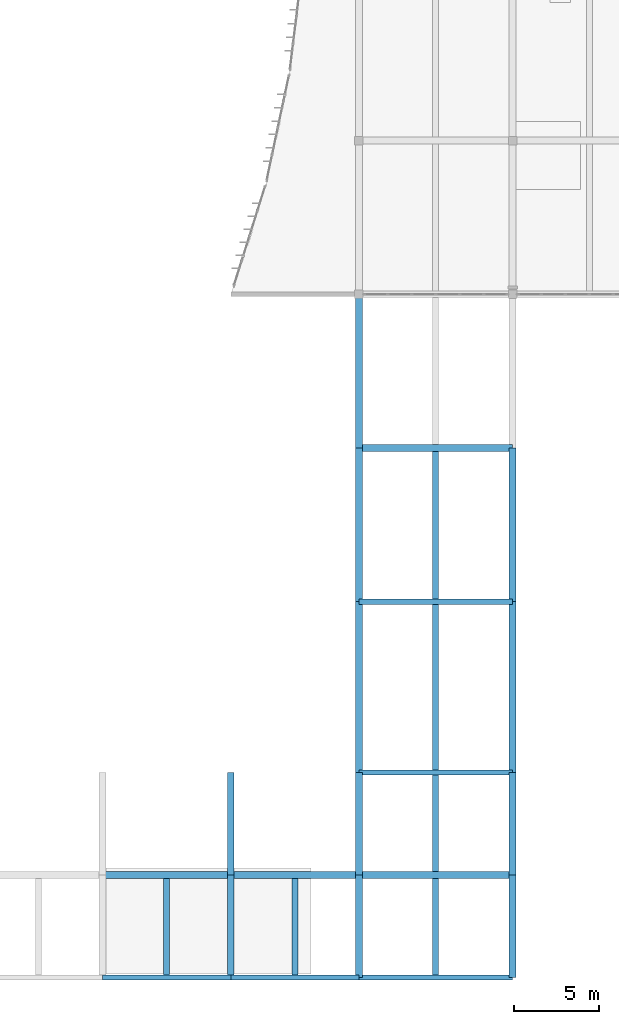
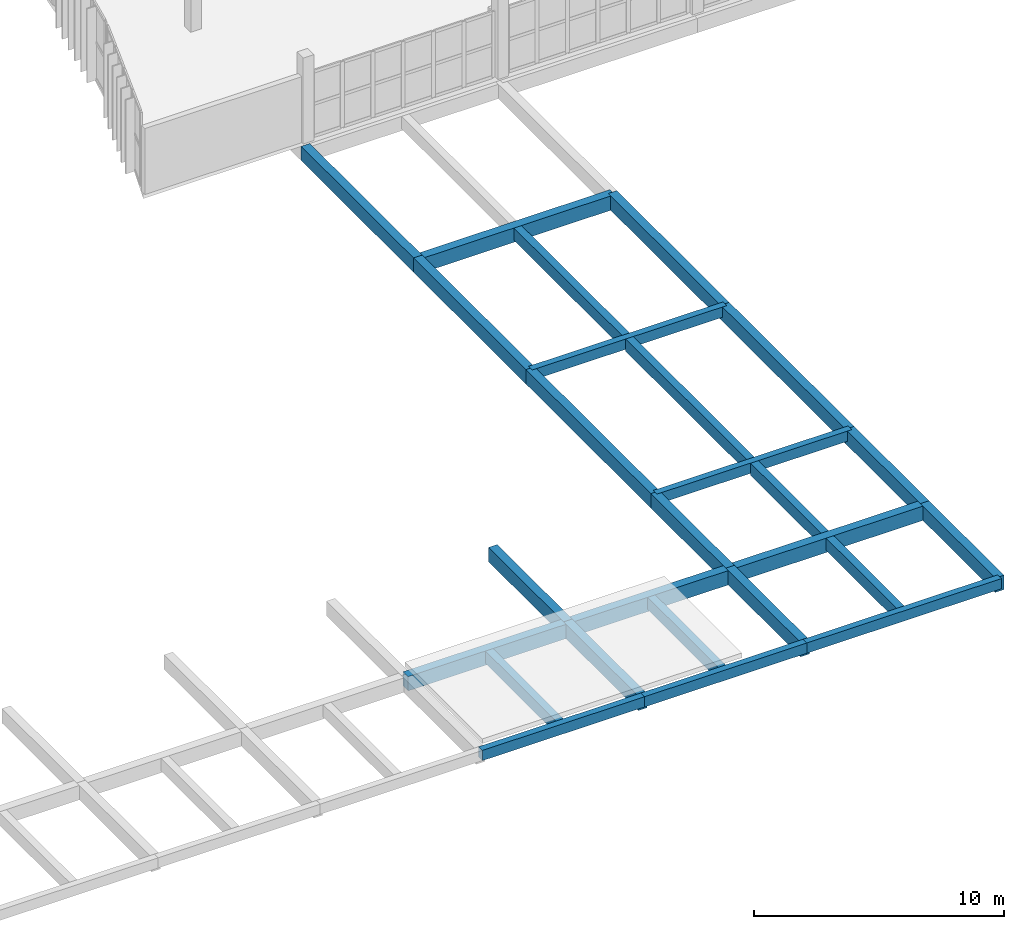
# One storey, part 20 of 61: 26 beams.
"""IFC4 building model written with IfcOpenShell, lengths in metres."""

import ifcopenshell
import ifcopenshell.guid

model = None  # the IFC model being written
_history = None  # IfcOwnerHistory: only IFC2X3 demands one
_inside = {}  # id of a spatial element -> (the spatial element, [elements in it])
_under = {}  # id of a project, library or spatial element -> (it, [spatial elements below it])
_declared = {}  # id of a project -> (the project, [libraries it declares])
_typed = {}  # id of a type object -> (the type object, [elements of that type])
_made_of = {}  # id of a material, layer set ... -> (it, [elements and type objects made of it])


def new_model(schema):
    """Start an empty IFC model of exactly this schema.

    Asked for "IFC4X3", IfcOpenShell would pick the latest addendum, in which some entities
    have other attributes; the version numbers below select the first issue.
    IFC2X3 requires an IfcOwnerHistory on every rooted entity: one is made here for all.
    """
    global model, _history
    if schema == "IFC4X3":
        model = ifcopenshell.file(schema_version=(4, 3, 0, 0))
    else:
        model = ifcopenshell.file(schema=schema)
    _inside.clear()
    _under.clear()
    _declared.clear()
    _typed.clear()
    _made_of.clear()
    _history = None
    if model.schema == "IFC2X3":
        org = make("IfcOrganization", Name="unknown")
        user = make(
            "IfcPersonAndOrganization",
            ThePerson=make("IfcPerson", FamilyName="unknown"),
            TheOrganization=org,
        )
        app = make(
            "IfcApplication",
            ApplicationDeveloper=org,
            Version="unknown",
            ApplicationFullName="unknown",
            ApplicationIdentifier="unknown",
        )
        _history = make(
            "IfcOwnerHistory",
            OwningUser=user,
            OwningApplication=app,
            ChangeAction="ADDED",
            CreationDate=0,
        )
    return model


def make(cls, **values):
    """One entity of the class cls with the attributes given. An attribute that is None is left unset."""
    return model.create_entity(
        cls, **{name: value for name, value in values.items() if value is not None}
    )


def rooted(cls, **values):
    """An entity with a GlobalId (a new one), such as an element, a storey or a relation."""
    return make(cls, GlobalId=ifcopenshell.guid.new(), OwnerHistory=_history, **values)


def si_unit(unit_type, name, prefix=None):
    """IfcSIUnit, for example si_unit("LENGTHUNIT", "METRE", prefix="MILLI")."""
    return make("IfcSIUnit", UnitType=unit_type, Prefix=prefix, Name=name)


def assignment(units):
    """IfcUnitAssignment: the units of a project."""
    return None if units is None else make("IfcUnitAssignment", Units=units)


def point(xyz):
    """IfcCartesianPoint."""
    return None if xyz is None else make("IfcCartesianPoint", Coordinates=xyz)


def direction(xyz):
    """IfcDirection."""
    return None if xyz is None else make("IfcDirection", DirectionRatios=xyz)


def frame(location, z_axis=None, x_axis=None):
    """IfcAxis2Placement3D, a coordinate frame: its origin and axes. An axis left out is left unset."""
    return make(
        "IfcAxis2Placement3D",
        Location=point(location),
        Axis=direction(z_axis),
        RefDirection=direction(x_axis),
    )


def frame_2d(location, x_axis=None):
    """IfcAxis2Placement2D, a coordinate frame in the plane: its origin and x axis."""
    return make(
        "IfcAxis2Placement2D", Location=point(location), RefDirection=direction(x_axis)
    )


def origin():
    """The frame at (0, 0, 0) with its axes left unset."""
    return frame((0.0, 0.0, 0.0))


def origin_2d():
    """The frame at (0, 0) in the plane with its x axis left unset."""
    return frame_2d((0.0, 0.0))


def place(relative_to, where):
    """IfcLocalPlacement: puts the frame where relative to a parent placement (None: the world)."""
    return make(
        "IfcLocalPlacement", PlacementRelTo=relative_to, RelativePlacement=where
    )


def context(
    kind, dimensions, precision=None, world=None, true_north=None, identifier=None
):
    """IfcGeometricRepresentationContext, for example the 3D "Model" context."""
    return make(
        "IfcGeometricRepresentationContext",
        ContextIdentifier=identifier,
        ContextType=kind,
        CoordinateSpaceDimension=dimensions,
        Precision=precision,
        WorldCoordinateSystem=world,
        TrueNorth=true_north,
    )


def subcontext(parent, identifier, kind, view, scale=None):
    """IfcGeometricRepresentationSubContext, for example "Body" below "Model"."""
    return make(
        "IfcGeometricRepresentationSubContext",
        ContextIdentifier=identifier,
        ContextType=kind,
        ParentContext=parent,
        TargetScale=scale,
        TargetView=view,
    )


def project(units=None, contexts=None):
    """IfcProject with its units and contexts."""
    return rooted(
        "IfcProject",
        Name="project",
        RepresentationContexts=contexts,
        UnitsInContext=assignment(units),
    )


def spatial(cls, under=None, at=None, **own):
    """A site, building, storey or space (cls), placed at a placement, below another one or the project."""
    s = rooted(cls, ObjectPlacement=at, **own)
    if under is not None:
        _under.setdefault(under.id(), (under, []))[1].append(s)
    return s


def profile(cls, at=None, kind="AREA", **sizes):
    """A parametric profile (cls). Its sizes go by their IFC names, for example OverallWidth=200.0."""
    return make(cls, ProfileType=kind, Position=at, **sizes)


def rectangle(**sizes):
    """IfcRectangleProfileDef."""
    return profile("IfcRectangleProfileDef", **sizes)


def extrude(swept, where, along, depth):
    """IfcExtrudedAreaSolid: the profile swept, set in the frame where, extruded along a direction by depth."""
    return make(
        "IfcExtrudedAreaSolid",
        SweptArea=swept,
        Position=where,
        ExtrudedDirection=direction(along),
        Depth=depth,
    )


def shape(context_of_items, identifier, shape_type, items):
    """IfcShapeRepresentation: the items that make up one representation, for example the "Body"."""
    return make(
        "IfcShapeRepresentation",
        ContextOfItems=context_of_items,
        RepresentationIdentifier=identifier,
        RepresentationType=shape_type,
        Items=items,
    )


def material(Name=None, Category=None):
    """IfcMaterial."""
    return make("IfcMaterial", Name=Name, Category=Category)


def material_profile(
    of_material, cross_section, Name=None, Category=None, Priority=None
):
    """IfcMaterialProfile: a cross section and its material."""
    return make(
        "IfcMaterialProfile",
        Name=Name,
        Material=of_material,
        Profile=cross_section,
        Priority=Priority,
        Category=Category,
    )


def profile_set(profiles, Name=None, composite=None):
    """IfcMaterialProfileSet."""
    return make(
        "IfcMaterialProfileSet",
        Name=Name,
        MaterialProfiles=profiles,
        CompositeProfile=composite,
    )


def made_of(thing, what):
    """Note that an element or type object is made of a material, layer set ...; save() writes the relation."""
    if what is not None:
        _made_of.setdefault(what.id(), (what, []))[1].append(thing)
    return thing


def type_object(cls, material=None, **own):
    """A type object (cls), such as IfcWallType, which elements share."""
    return made_of(rooted(cls, **own), material)


def element(
    cls,
    number,
    at=None,
    inside=None,
    cuts=None,
    type_object=None,
    material=None,
    context=None,
    identifier="Body",
    shape_type=None,
    held_by="IfcProductDefinitionShape",
    body=None,
    shapes=None,
    **own,
):
    """One element of the class cls, such as IfcWall. Its Tag is "e" and its number.

    at: its placement. inside: the storey or other place that contains it. cuts: it is an
    opening in that element (IfcRelVoidsElement). A single representation is given by context,
    identifier, shape_type and body (its items); several are given by shapes. held_by: the class
    of the entity that holds the representations. save() writes the other relations.
    """
    e = rooted(cls, Tag="e%d" % number, ObjectPlacement=at, **own)
    if body is not None:
        shapes = [shape(context, identifier, shape_type, body)]
    if shapes is not None:
        e.Representation = make(held_by, Representations=shapes)
    if inside is not None:
        _inside.setdefault(inside.id(), (inside, []))[1].append(e)
    if cuts is not None:
        rooted(
            "IfcRelVoidsElement", RelatingBuildingElement=cuts, RelatedOpeningElement=e
        )
    if type_object is not None:
        _typed.setdefault(type_object.id(), (type_object, []))[1].append(e)
    return made_of(e, material)


def aggregate(whole, parts):
    """IfcRelAggregates: a whole, such as a stair, and the parts it consists of."""
    return rooted("IfcRelAggregates", RelatingObject=whole, RelatedObjects=parts)


def save(model, path):
    """Write the relations noted so far, then the file.

    IfcRelAggregates (storeys below a building ...), IfcRelContainedInSpatialStructure (elements
    in a storey), IfcRelDefinesByType, IfcRelAssociatesMaterial and IfcRelDeclares: one each for
    every whole, place, type object, material and project.
    """
    for whole, parts in _under.values():
        aggregate(whole, parts)
    for where, things in _inside.values():
        rooted(
            "IfcRelContainedInSpatialStructure",
            RelatedElements=things,
            RelatingStructure=where,
        )
    for kind, things in _typed.values():
        rooted("IfcRelDefinesByType", RelatedObjects=things, RelatingType=kind)
    for what, things in _made_of.values():
        rooted("IfcRelAssociatesMaterial", RelatedObjects=things, RelatingMaterial=what)
    for by, libraries in _declared.values():
        rooted("IfcRelDeclares", RelatingContext=by, RelatedDefinitions=libraries)
    model.write(path)


model = new_model("IFC4")

# Units and contexts
model_context = context("Model", 3, precision=1e-05, world=origin(), true_north=direction((0.0, 1.0)))
body_context = subcontext(model_context, "Body", "Model", "MODEL_VIEW")
ifc_project = project(units=[si_unit("LENGTHUNIT", "METRE"), si_unit("AREAUNIT", "SQUARE_METRE"), si_unit("VOLUMEUNIT", "CUBIC_METRE"), si_unit("PLANEANGLEUNIT", "RADIAN"), si_unit("MASSUNIT", "GRAM", prefix="KILO")], contexts=[model_context])

# Site, building, storey
site_placement = place(None, origin())
site = spatial("IfcSite", under=ifc_project, at=site_placement, CompositionType="ELEMENT")
building_placement = place(site_placement, origin())
building = spatial("IfcBuilding", under=site, at=building_placement, Name="Vourika Railside Aquatics Centre", CompositionType="ELEMENT")
storey_placement = place(building_placement, frame((0.0, 0.0, 9.300048828125)))
storey = spatial("IfcBuildingStorey", under=building, at=storey_placement, Name="L02", CompositionType="ELEMENT", Elevation=9.300048828125)

# Beams
ifc_material = material(Name="Concrete C35/45", Category="concrete")
ifc_material_profile_1 = material_profile(ifc_material, rectangle(XDim=0.39990234375, YDim=0.699951171875, at=origin_2d()), Name="RC 400x700")
ifc_profile_set_1 = profile_set([ifc_material_profile_1], Name="Concrete C35/45")
beam_type_1 = type_object("IfcBeamType", Name="BM-GIRD-400x700", PredefinedType="BEAM", material=ifc_profile_set_1)
for number, where, z_axis, x_axis, name in (
    (1, (126.0, 6.0, -0.630126953125), (1.0, 0.0, 0.0), (0.0, 1.0, 0.0), "Floor Beam GX-L02-028"),
    (2, (133.5, 6.0, -0.630126953125), (1.0, 0.0, 0.0), (0.0, 1.0, 0.0), "Floor Beam GX-L02-029"),
):
    element("IfcBeam", number, at=place(storey_placement, frame(where, z_axis=z_axis, x_axis=x_axis)), inside=storey, type_object=beam_type_1, Name=name, PredefinedType="BEAM", context=body_context, shape_type="SweptSolid", body=[
        extrude(rectangle(XDim=0.39990234375, YDim=0.699951171875, at=origin_2d()), origin(), (0.0, 0.0, 1.0), 7.5),
    ])
for number, where, z_axis, x_axis, name in (
    (3, (141.0, 6.0, -0.630126953125), (1.0, 0.0, 0.0), (0.0, 1.0, 0.0), "Floor Beam GX-L02-030"),
    (4, (141.0, 31.0, -0.630126953125), (1.0, 0.0, 0.0), (0.0, 1.0, 0.0), "Floor Beam GX-L02-037"),
):
    element("IfcBeam", number, at=place(storey_placement, frame(where, z_axis=z_axis, x_axis=x_axis)), inside=storey, type_object=beam_type_1, Name=name, PredefinedType="BEAM", context=body_context, shape_type="SweptSolid", body=[
        extrude(rectangle(XDim=0.39990234375, YDim=0.699951171875, at=origin_2d()), origin(), (0.0, 0.0, 1.0), 9.0),
    ])
for number, where, z_axis, x_axis, name in (
    (5, (133.5, 0.0, -0.630126953125), (0.0, 1.0, 0.0), (-1.0, 0.0, 0.0), "Floor Girder GY-L02-248"),
    (6, (133.5, 6.0, -0.630126953125), (0.0, 1.0, 0.0), (-1.0, 0.0, 0.0), "Floor Girder GY-L02-249"),
    (7, (141.0, 0.0, -0.630126953125), (0.0, 1.0, 0.0), (-1.0, 0.0, 0.0), "Floor Girder GY-L02-254"),
    (8, (141.0, 6.0, -0.630126953125), (0.0, 1.0, 0.0), (-1.0, 0.0, 0.0), "Floor Girder GY-L02-255"),
):
    element("IfcBeam", number, at=place(storey_placement, frame(where, z_axis=z_axis, x_axis=x_axis)), inside=storey, type_object=beam_type_1, Name=name, PredefinedType="BEAM", context=body_context, shape_type="SweptSolid", body=[
        extrude(rectangle(XDim=0.39990234375, YDim=0.699951171875, at=origin_2d()), origin(), (0.0, 0.0, 1.0), 6.0),
    ])
beam_1_placement = place(storey_placement, frame((141.0, 12.0, -0.630126953125), z_axis=(0.0, 1.0, 0.0), x_axis=(-1.0, 0.0, 0.0)))
element("IfcBeam", 9, at=beam_1_placement, inside=storey, type_object=beam_type_1, Name="Floor Girder GY-L02-256", PredefinedType="BEAM", context=body_context, shape_type="SweptSolid", body=[
    extrude(rectangle(XDim=0.39990234375, YDim=0.699951171875, at=origin_2d()), origin(), (0.0, 0.0, 1.0), 10.0),
])
for number, where, z_axis, x_axis, name in (
    (10, (141.0, 22.0, -0.630126953125), (0.0, 1.0, 0.0), (-1.0, 0.0, 0.0), "Floor Girder GY-L02-257"),
    (11, (141.0, 31.0, -0.630126953125), (0.0, 1.0, 0.0), (-1.0, 0.0, 0.0), "Floor Girder GY-L02-258"),
):
    element("IfcBeam", number, at=place(storey_placement, frame(where, z_axis=z_axis, x_axis=x_axis)), inside=storey, type_object=beam_type_1, Name=name, PredefinedType="BEAM", context=body_context, shape_type="SweptSolid", body=[
        extrude(rectangle(XDim=0.39990234375, YDim=0.699951171875, at=origin_2d()), origin(), (0.0, 0.0, 1.0), 9.0),
    ])
for number, where, z_axis, x_axis, name in (
    (12, (150.0, 0.0, -0.630126953125), (0.0, 1.0, 0.0), (-1.0, 0.0, 0.0), "Floor Girder GY-L02-265"),
    (13, (150.0, 6.0, -0.630126953125), (0.0, 1.0, 0.0), (-1.0, 0.0, 0.0), "Floor Girder GY-L02-266"),
):
    element("IfcBeam", number, at=place(storey_placement, frame(where, z_axis=z_axis, x_axis=x_axis)), inside=storey, type_object=beam_type_1, Name=name, PredefinedType="BEAM", context=body_context, shape_type="SweptSolid", body=[
        extrude(rectangle(XDim=0.39990234375, YDim=0.699951171875, at=origin_2d()), origin(), (0.0, 0.0, 1.0), 6.0),
    ])
beam_2_placement = place(storey_placement, frame((150.0, 12.0, -0.630126953125), z_axis=(0.0, 1.0, 0.0), x_axis=(-1.0, 0.0, 0.0)))
element("IfcBeam", 14, at=beam_2_placement, inside=storey, type_object=beam_type_1, Name="Floor Girder GY-L02-267", PredefinedType="BEAM", context=body_context, shape_type="SweptSolid", body=[
    extrude(rectangle(XDim=0.39990234375, YDim=0.699951171875, at=origin_2d()), origin(), (0.0, 0.0, 1.0), 10.0),
])
beam_3_placement = place(storey_placement, frame((150.0, 22.0, -0.630126953125), z_axis=(0.0, 1.0, 0.0), x_axis=(-1.0, 0.0, 0.0)))
element("IfcBeam", 15, at=beam_3_placement, inside=storey, type_object=beam_type_1, Name="Floor Girder GY-L02-268", PredefinedType="BEAM", context=body_context, shape_type="SweptSolid", body=[
    extrude(rectangle(XDim=0.39990234375, YDim=0.699951171875, at=origin_2d()), origin(), (0.0, 0.0, 1.0), 9.0),
])
ifc_material_profile_2 = material_profile(ifc_material, rectangle(XDim=0.35009765625, YDim=0.60009765625, at=origin_2d()), Name="RC 350x600")
ifc_profile_set_2 = profile_set([ifc_material_profile_2], Name="Concrete C35/45")
beam_type_2 = type_object("IfcBeamType", Name="BM-SEC-350x600", PredefinedType="JOIST", material=ifc_profile_set_2)
for number, where, z_axis, x_axis, name in (
    (16, (129.75, 0.14990234375, -0.580078125), (0.0, 1.0, 0.0), (-1.0, 0.0, 0.0), "Secondary Joist JY-L02-299"),
    (17, (137.25, 0.14990234375, -0.580078125), (0.0, 1.0, 0.0), (-1.0, 0.0, 0.0), "Secondary Joist JY-L02-300"),
    (18, (145.5, 0.14990234375, -0.580078125), (0.0, 1.0, 0.0), (-1.0, 0.0, 0.0), "Secondary Joist JY-L02-301"),
    (19, (145.5, 6.199951171875, -0.580078125), (0.0, 1.0, 0.0), (-1.0, 0.0, 0.0), "Secondary Joist JY-L02-302"),
):
    element("IfcBeam", number, at=place(storey_placement, frame(where, z_axis=z_axis, x_axis=x_axis)), inside=storey, type_object=beam_type_2, Name=name, PredefinedType="JOIST", context=body_context, shape_type="SweptSolid", body=[
        extrude(rectangle(XDim=0.35009765625, YDim=0.60009765625, at=origin_2d()), origin(), (0.0, 0.0, 1.0), 5.650146484375),
    ])
beam_4_placement = place(storey_placement, frame((145.5, 12.14990234375, -0.580078125), z_axis=(0.0, 1.0, 0.0), x_axis=(-1.0, 0.0, 0.0)))
element("IfcBeam", 20, at=beam_4_placement, inside=storey, type_object=beam_type_2, Name="Secondary Joist JY-L02-303", PredefinedType="JOIST", context=body_context, shape_type="SweptSolid", body=[
    extrude(rectangle(XDim=0.35009765625, YDim=0.60009765625, at=origin_2d()), origin(), (0.0, 0.0, 1.0), 9.7001953125),
])
beam_5_placement = place(storey_placement, frame((145.5, 22.14990234375, -0.580078125), z_axis=(0.0, 1.0, 0.0), x_axis=(-1.0, 0.0, 0.0)))
element("IfcBeam", 21, at=beam_5_placement, inside=storey, type_object=beam_type_2, Name="Secondary Joist JY-L02-304", PredefinedType="JOIST", context=body_context, shape_type="SweptSolid", body=[
    extrude(rectangle(XDim=0.35009765625, YDim=0.60009765625, at=origin_2d()), origin(), (0.0, 0.0, 1.0), 8.650146484375),
])
ifc_material_profile_3 = material_profile(ifc_material, rectangle(XDim=0.300048828125, YDim=0.5, at=origin_2d()), Name="RC 300x500")
ifc_profile_set_3 = profile_set([ifc_material_profile_3], Name="Concrete C35/45")
beam_type_3 = type_object("IfcBeamType", Name="BM-SPAN-300x500", PredefinedType="SPANDREL", material=ifc_profile_set_3)
for number, where, z_axis, x_axis, name in (
    (22, (126.0, 0.0, -0.530029296875), (1.0, 0.0, 0.0), (0.0, 1.0, 0.0), "Floor Beam GX-L02-013"),
    (23, (133.5, 0.0, -0.530029296875), (1.0, 0.0, 0.0), (0.0, 1.0, 0.0), "Floor Beam GX-L02-014"),
):
    element("IfcBeam", number, at=place(storey_placement, frame(where, z_axis=z_axis, x_axis=x_axis)), inside=storey, type_object=beam_type_3, Name=name, PredefinedType="SPANDREL", context=body_context, shape_type="SweptSolid", body=[
        extrude(rectangle(XDim=0.300048828125, YDim=0.5, at=origin_2d()), origin(), (0.0, 0.0, 1.0), 7.5),
    ])
for number, where, z_axis, x_axis, name in (
    (24, (141.0, 0.0, -0.530029296875), (1.0, 0.0, 0.0), (0.0, 1.0, 0.0), "Floor Beam GX-L02-015"),
    (25, (141.0, 12.0, -0.530029296875), (1.0, 0.0, 0.0), (0.0, 1.0, 0.0), "Floor Beam GX-L02-031"),
    (26, (141.0, 22.0, -0.530029296875), (1.0, 0.0, 0.0), (0.0, 1.0, 0.0), "Floor Beam GX-L02-036"),
):
    element("IfcBeam", number, at=place(storey_placement, frame(where, z_axis=z_axis, x_axis=x_axis)), inside=storey, type_object=beam_type_3, Name=name, PredefinedType="SPANDREL", context=body_context, shape_type="SweptSolid", body=[
        extrude(rectangle(XDim=0.300048828125, YDim=0.5, at=origin_2d()), origin(), (0.0, 0.0, 1.0), 9.0),
    ])

save(model, "model.ifc")
